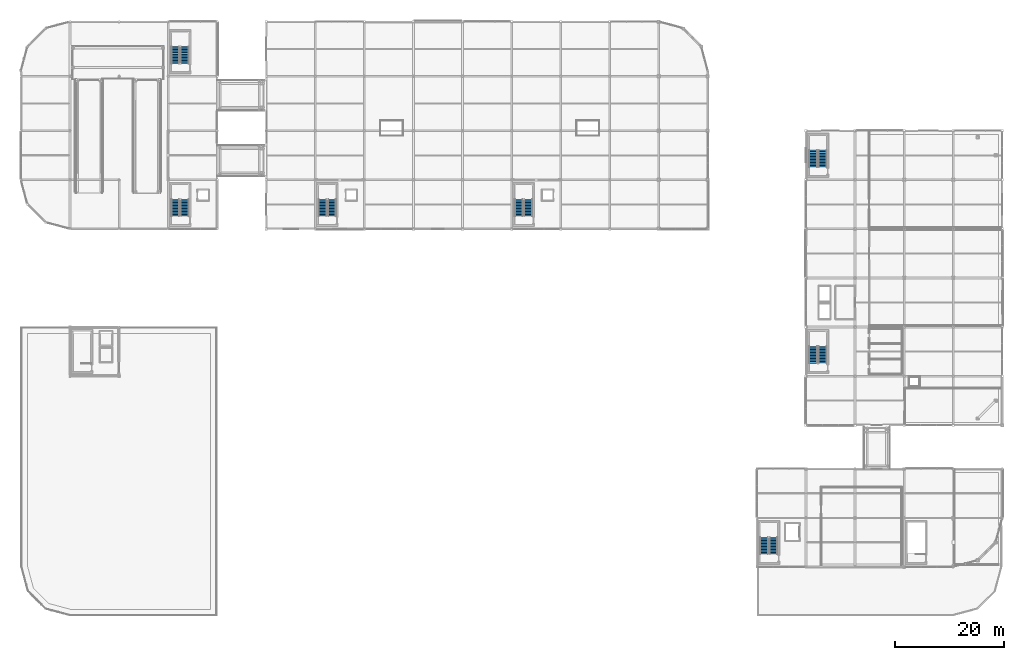
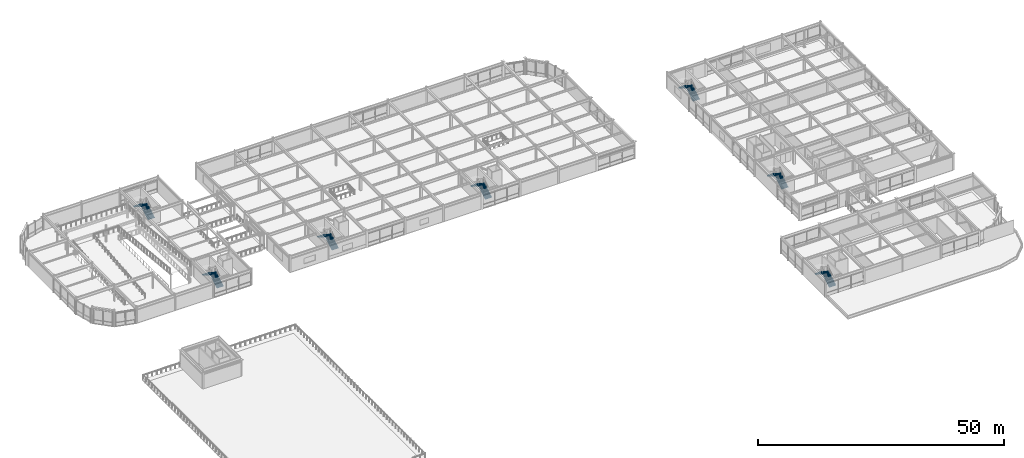
# One storey, part 52 of 70: 14 stair flights, 7 elements without a shape of their own.
"""IFC4 building model written with IfcOpenShell, lengths in metres."""

from ifc_helpers import new_model, si_unit, direction, frame, origin, place, context, subcontext, project, spatial, polyline, outline, extrude, material, type_object, element, aggregate, save


model = new_model("IFC4")

# Units and contexts
model_context = context("Model", 3, precision=1e-05, world=origin(), true_north=direction((0.0, 1.0)))
body_context = subcontext(model_context, "Body", "Model", "MODEL_VIEW")
ifc_project = project(units=[si_unit("LENGTHUNIT", "METRE"), si_unit("AREAUNIT", "SQUARE_METRE"), si_unit("VOLUMEUNIT", "CUBIC_METRE"), si_unit("PLANEANGLEUNIT", "RADIAN"), si_unit("MASSUNIT", "GRAM", prefix="KILO")], contexts=[model_context])

# Site, building, storey
site_placement = place(None, origin())
site = spatial("IfcSite", under=ifc_project, at=site_placement, CompositionType="ELEMENT")
building_placement = place(site_placement, origin())
building = spatial("IfcBuilding", under=site, at=building_placement, Name="Suzunagisa Mobility Hub", CompositionType="ELEMENT")
storey_placement = place(building_placement, frame((0.0, 0.0, 13.5)))
storey = spatial("IfcBuildingStorey", under=building, at=storey_placement, Name="L03", CompositionType="ELEMENT", Elevation=13.5)

# Stair, stair flights
ifc_material = material(Name="Concrete C35/45", Category="concrete")
stair_type_1 = type_object("IfcStairType", Name="Dog-Leg Core Escape Stair ST-05 W1560", PredefinedType="HALF_TURN_STAIR", material=ifc_material)
stair_1_placement = place(storey_placement, origin())
stair_1 = element("IfcStair", 1, at=stair_1_placement, inside=storey, type_object=stair_type_1, Name="L03 Core C6 Escape Stair ST-05", PredefinedType="HALF_TURN_STAIR")
stair_flight_type_1 = type_object("IfcStairFlightType", Name="Dog-Leg Core Stair Flight ST-05-F W1560", PredefinedType="STRAIGHT", material=ifc_material)
stair_flight_1_placement = place(storey_placement, frame((30.06005859375, 82.360107421875, 0.0), z_axis=(0.0, 0.0, 1.0), x_axis=(0.0, 1.0, 0.0)))
stair_flight_1 = element("IfcStairFlight", 2, at=stair_flight_1_placement, type_object=stair_flight_type_1, Name="ST-05 flight 1", NumberOfRisers=12, NumberOfTreads=11, PredefinedType="STRAIGHT", RiserHeight=0.175, TreadLength=0.28, context=body_context, shape_type="SweptSolid", body=[
    extrude(outline(polyline([(0.0, 0.0), (0.0, 0.175048828125), (0.280029296875, 0.175048828125), (0.280029296875, 0.35009765625), (0.56005859375, 0.35009765625), (0.56005859375, 0.52490234375), (0.840087890625, 0.52490234375), (0.840087890625, 0.699951171875), (1.1201171875, 0.699951171875), (1.1201171875, 0.875), (1.39990234375, 0.875), (1.39990234375, 1.050048828125), (1.679931640625, 1.050048828125), (1.679931640625, 1.22509765625), (1.9599609375, 1.22509765625), (1.9599609375, 1.39990234375), (2.239990234375, 1.39990234375), (2.239990234375, 1.574951171875), (2.52001953125, 1.574951171875), (2.52001953125, 1.75), (2.800048828125, 1.75), (2.800048828125, 1.925048828125), (3.080078125, 1.925048828125), (3.080078125, 2.10009765625), (3.080078125, 1.736328125), (0.3017578125, 0.0), (0.0, 0.0)])), frame((0.0, 0.780029296875, 0.0), z_axis=(0.0, -1.0, 0.0), x_axis=(1.0, 0.0, 0.0)), (0.0, 0.0, 1.0), 1.56005859375),
])
stair_flight_2_placement = place(storey_placement, frame((28.340087890625, 85.43994140625, 2.10009765625), z_axis=(0.0, 0.0, 1.0), x_axis=(0.0, -1.0, 0.0)))
stair_flight_2 = element("IfcStairFlight", 3, at=stair_flight_2_placement, type_object=stair_flight_type_1, Name="ST-05 flight 2", NumberOfRisers=12, NumberOfTreads=11, PredefinedType="STRAIGHT", RiserHeight=0.175, TreadLength=0.28, context=body_context, shape_type="SweptSolid", body=[
    extrude(outline(polyline([(0.0, 0.0), (0.0, 0.175048828125), (0.280029296875, 0.175048828125), (0.280029296875, 0.35009765625), (0.56005859375, 0.35009765625), (0.56005859375, 0.52490234375), (0.840087890625, 0.52490234375), (0.840087890625, 0.699951171875), (1.1201171875, 0.699951171875), (1.1201171875, 0.875), (1.39990234375, 0.875), (1.39990234375, 1.050048828125), (1.679931640625, 1.050048828125), (1.679931640625, 1.22509765625), (1.9599609375, 1.22509765625), (1.9599609375, 1.39990234375), (2.239990234375, 1.39990234375), (2.239990234375, 1.574951171875), (2.52001953125, 1.574951171875), (2.52001953125, 1.75), (2.800048828125, 1.75), (2.800048828125, 1.925048828125), (3.080078125, 1.925048828125), (3.080078125, 2.10009765625), (3.080078125, 1.736328125), (0.3017578125, 0.0), (0.0, 0.0)])), frame((0.0, 0.780029296875, 0.0), z_axis=(0.0, -1.0, 0.0), x_axis=(1.0, 0.0, 0.0)), (0.0, 0.0, 1.0), 1.56005859375),
])
aggregate(stair_1, [stair_flight_1, stair_flight_2])

stair_type_2 = type_object("IfcStairType", Name="Dog-Leg Core Escape Stair ST-06 W1560", PredefinedType="HALF_TURN_STAIR", material=ifc_material)
stair_2_placement = place(storey_placement, origin())
stair_2 = element("IfcStair", 4, at=stair_2_placement, inside=storey, type_object=stair_type_2, Name="L03 Core C6B Escape Stair ST-06", PredefinedType="HALF_TURN_STAIR")
stair_flight_type_2 = type_object("IfcStairFlightType", Name="Dog-Leg Core Stair Flight ST-06-F W1560", PredefinedType="STRAIGHT", material=ifc_material)
stair_flight_3_placement = place(storey_placement, frame((30.06005859375, 110.360107421875, 0.0), z_axis=(0.0, 0.0, 1.0), x_axis=(0.0, 1.0, 0.0)))
stair_flight_3 = element("IfcStairFlight", 5, at=stair_flight_3_placement, type_object=stair_flight_type_2, Name="ST-06 flight 1", NumberOfRisers=12, NumberOfTreads=11, PredefinedType="STRAIGHT", RiserHeight=0.175, TreadLength=0.28, context=body_context, shape_type="SweptSolid", body=[
    extrude(outline(polyline([(0.0, 0.0), (0.0, 0.175048828125), (0.280029296875, 0.175048828125), (0.280029296875, 0.35009765625), (0.56005859375, 0.35009765625), (0.56005859375, 0.52490234375), (0.840087890625, 0.52490234375), (0.840087890625, 0.699951171875), (1.1201171875, 0.699951171875), (1.1201171875, 0.875), (1.39990234375, 0.875), (1.39990234375, 1.050048828125), (1.679931640625, 1.050048828125), (1.679931640625, 1.22509765625), (1.9599609375, 1.22509765625), (1.9599609375, 1.39990234375), (2.239990234375, 1.39990234375), (2.239990234375, 1.574951171875), (2.52001953125, 1.574951171875), (2.52001953125, 1.75), (2.800048828125, 1.75), (2.800048828125, 1.925048828125), (3.080078125, 1.925048828125), (3.080078125, 2.10009765625), (3.080078125, 1.736328125), (0.3017578125, 0.0), (0.0, 0.0)])), frame((0.0, 0.780029296875, 0.0), z_axis=(0.0, -1.0, 0.0), x_axis=(1.0, 0.0, 0.0)), (0.0, 0.0, 1.0), 1.56005859375),
])
stair_flight_4_placement = place(storey_placement, frame((28.340087890625, 113.43994140625, 2.10009765625), z_axis=(0.0, 0.0, 1.0), x_axis=(0.0, -1.0, 0.0)))
stair_flight_4 = element("IfcStairFlight", 6, at=stair_flight_4_placement, type_object=stair_flight_type_2, Name="ST-06 flight 2", NumberOfRisers=12, NumberOfTreads=11, PredefinedType="STRAIGHT", RiserHeight=0.175, TreadLength=0.28, context=body_context, shape_type="SweptSolid", body=[
    extrude(outline(polyline([(0.0, 0.0), (0.0, 0.175048828125), (0.280029296875, 0.175048828125), (0.280029296875, 0.35009765625), (0.56005859375, 0.35009765625), (0.56005859375, 0.52490234375), (0.840087890625, 0.52490234375), (0.840087890625, 0.699951171875), (1.1201171875, 0.699951171875), (1.1201171875, 0.875), (1.39990234375, 0.875), (1.39990234375, 1.050048828125), (1.679931640625, 1.050048828125), (1.679931640625, 1.22509765625), (1.9599609375, 1.22509765625), (1.9599609375, 1.39990234375), (2.239990234375, 1.39990234375), (2.239990234375, 1.574951171875), (2.52001953125, 1.574951171875), (2.52001953125, 1.75), (2.800048828125, 1.75), (2.800048828125, 1.925048828125), (3.080078125, 1.925048828125), (3.080078125, 2.10009765625), (3.080078125, 1.736328125), (0.3017578125, 0.0), (0.0, 0.0)])), frame((0.0, 0.780029296875, 0.0), z_axis=(0.0, -1.0, 0.0), x_axis=(1.0, 0.0, 0.0)), (0.0, 0.0, 1.0), 1.56005859375),
])
aggregate(stair_2, [stair_flight_3, stair_flight_4])

stair_type_3 = type_object("IfcStairType", Name="Dog-Leg Core Escape Stair ST-07 W1560", PredefinedType="HALF_TURN_STAIR", material=ifc_material)
stair_3_placement = place(storey_placement, origin())
stair_3 = element("IfcStair", 7, at=stair_3_placement, inside=storey, type_object=stair_type_3, Name="L03 Core C3 Escape Stair ST-07", PredefinedType="HALF_TURN_STAIR")
stair_flight_type_3 = type_object("IfcStairFlightType", Name="Dog-Leg Core Stair Flight ST-07-F W1560", PredefinedType="STRAIGHT", material=ifc_material)
stair_flight_5_placement = place(storey_placement, frame((57.06005859375, 82.360107421875, 0.0), z_axis=(0.0, 0.0, 1.0), x_axis=(0.0, 1.0, 0.0)))
stair_flight_5 = element("IfcStairFlight", 8, at=stair_flight_5_placement, type_object=stair_flight_type_3, Name="ST-07 flight 1", NumberOfRisers=12, NumberOfTreads=11, PredefinedType="STRAIGHT", RiserHeight=0.175, TreadLength=0.28, context=body_context, shape_type="SweptSolid", body=[
    extrude(outline(polyline([(0.0, 0.0), (0.0, 0.175048828125), (0.280029296875, 0.175048828125), (0.280029296875, 0.35009765625), (0.56005859375, 0.35009765625), (0.56005859375, 0.52490234375), (0.840087890625, 0.52490234375), (0.840087890625, 0.699951171875), (1.1201171875, 0.699951171875), (1.1201171875, 0.875), (1.39990234375, 0.875), (1.39990234375, 1.050048828125), (1.679931640625, 1.050048828125), (1.679931640625, 1.22509765625), (1.9599609375, 1.22509765625), (1.9599609375, 1.39990234375), (2.239990234375, 1.39990234375), (2.239990234375, 1.574951171875), (2.52001953125, 1.574951171875), (2.52001953125, 1.75), (2.800048828125, 1.75), (2.800048828125, 1.925048828125), (3.080078125, 1.925048828125), (3.080078125, 2.10009765625), (3.080078125, 1.736328125), (0.3017578125, 0.0), (0.0, 0.0)])), frame((0.0, 0.780029296875, 0.0), z_axis=(0.0, -1.0, 0.0), x_axis=(1.0, 0.0, 0.0)), (0.0, 0.0, 1.0), 1.56005859375),
])
stair_flight_6_placement = place(storey_placement, frame((55.340087890625, 85.43994140625, 2.10009765625), z_axis=(0.0, 0.0, 1.0), x_axis=(0.0, -1.0, 0.0)))
stair_flight_6 = element("IfcStairFlight", 9, at=stair_flight_6_placement, type_object=stair_flight_type_3, Name="ST-07 flight 2", NumberOfRisers=12, NumberOfTreads=11, PredefinedType="STRAIGHT", RiserHeight=0.175, TreadLength=0.28, context=body_context, shape_type="SweptSolid", body=[
    extrude(outline(polyline([(0.0, 0.0), (0.0, 0.175048828125), (0.280029296875, 0.175048828125), (0.280029296875, 0.35009765625), (0.56005859375, 0.35009765625), (0.56005859375, 0.52490234375), (0.840087890625, 0.52490234375), (0.840087890625, 0.699951171875), (1.1201171875, 0.699951171875), (1.1201171875, 0.875), (1.39990234375, 0.875), (1.39990234375, 1.050048828125), (1.679931640625, 1.050048828125), (1.679931640625, 1.22509765625), (1.9599609375, 1.22509765625), (1.9599609375, 1.39990234375), (2.239990234375, 1.39990234375), (2.239990234375, 1.574951171875), (2.52001953125, 1.574951171875), (2.52001953125, 1.75), (2.800048828125, 1.75), (2.800048828125, 1.925048828125), (3.080078125, 1.925048828125), (3.080078125, 2.10009765625), (3.080078125, 1.736328125), (0.3017578125, 0.0), (0.0, 0.0)])), frame((0.0, 0.780029296875, 0.0), z_axis=(0.0, -1.0, 0.0), x_axis=(1.0, 0.0, 0.0)), (0.0, 0.0, 1.0), 1.56005859375),
])
aggregate(stair_3, [stair_flight_5, stair_flight_6])

stair_type_4 = type_object("IfcStairType", Name="Dog-Leg Core Escape Stair ST-08 W1560", PredefinedType="HALF_TURN_STAIR", material=ifc_material)
stair_4_placement = place(storey_placement, origin())
stair_4 = element("IfcStair", 10, at=stair_4_placement, inside=storey, type_object=stair_type_4, Name="L03 Core C4 Escape Stair ST-08", PredefinedType="HALF_TURN_STAIR")
stair_flight_type_4 = type_object("IfcStairFlightType", Name="Dog-Leg Core Stair Flight ST-08-F W1560", PredefinedType="STRAIGHT", material=ifc_material)
stair_flight_7_placement = place(storey_placement, frame((93.06005859375, 82.360107421875, 0.0), z_axis=(0.0, 0.0, 1.0), x_axis=(0.0, 1.0, 0.0)))
stair_flight_7 = element("IfcStairFlight", 11, at=stair_flight_7_placement, type_object=stair_flight_type_4, Name="ST-08 flight 1", NumberOfRisers=12, NumberOfTreads=11, PredefinedType="STRAIGHT", RiserHeight=0.175, TreadLength=0.28, context=body_context, shape_type="SweptSolid", body=[
    extrude(outline(polyline([(0.0, 0.0), (0.0, 0.175048828125), (0.280029296875, 0.175048828125), (0.280029296875, 0.35009765625), (0.56005859375, 0.35009765625), (0.56005859375, 0.52490234375), (0.840087890625, 0.52490234375), (0.840087890625, 0.699951171875), (1.1201171875, 0.699951171875), (1.1201171875, 0.875), (1.39990234375, 0.875), (1.39990234375, 1.050048828125), (1.679931640625, 1.050048828125), (1.679931640625, 1.22509765625), (1.9599609375, 1.22509765625), (1.9599609375, 1.39990234375), (2.239990234375, 1.39990234375), (2.239990234375, 1.574951171875), (2.52001953125, 1.574951171875), (2.52001953125, 1.75), (2.800048828125, 1.75), (2.800048828125, 1.925048828125), (3.080078125, 1.925048828125), (3.080078125, 2.10009765625), (3.080078125, 1.736328125), (0.3017578125, 0.0), (0.0, 0.0)])), frame((0.0, 0.780029296875, 0.0), z_axis=(0.0, -1.0, 0.0), x_axis=(1.0, 0.0, 0.0)), (0.0, 0.0, 1.0), 1.56005859375),
])
stair_flight_8_placement = place(storey_placement, frame((91.340087890625, 85.43994140625, 2.10009765625), z_axis=(0.0, 0.0, 1.0), x_axis=(0.0, -1.0, 0.0)))
stair_flight_8 = element("IfcStairFlight", 12, at=stair_flight_8_placement, type_object=stair_flight_type_4, Name="ST-08 flight 2", NumberOfRisers=12, NumberOfTreads=11, PredefinedType="STRAIGHT", RiserHeight=0.175, TreadLength=0.28, context=body_context, shape_type="SweptSolid", body=[
    extrude(outline(polyline([(0.0, 0.0), (0.0, 0.175048828125), (0.280029296875, 0.175048828125), (0.280029296875, 0.35009765625), (0.56005859375, 0.35009765625), (0.56005859375, 0.52490234375), (0.840087890625, 0.52490234375), (0.840087890625, 0.699951171875), (1.1201171875, 0.699951171875), (1.1201171875, 0.875), (1.39990234375, 0.875), (1.39990234375, 1.050048828125), (1.679931640625, 1.050048828125), (1.679931640625, 1.22509765625), (1.9599609375, 1.22509765625), (1.9599609375, 1.39990234375), (2.239990234375, 1.39990234375), (2.239990234375, 1.574951171875), (2.52001953125, 1.574951171875), (2.52001953125, 1.75), (2.800048828125, 1.75), (2.800048828125, 1.925048828125), (3.080078125, 1.925048828125), (3.080078125, 2.10009765625), (3.080078125, 1.736328125), (0.3017578125, 0.0), (0.0, 0.0)])), frame((0.0, 0.780029296875, 0.0), z_axis=(0.0, -1.0, 0.0), x_axis=(1.0, 0.0, 0.0)), (0.0, 0.0, 1.0), 1.56005859375),
])
aggregate(stair_4, [stair_flight_7, stair_flight_8])

stair_type_5 = type_object("IfcStairType", Name="Dog-Leg Core Escape Stair ST-09 W1560", PredefinedType="HALF_TURN_STAIR", material=ifc_material)
stair_5_placement = place(storey_placement, origin())
stair_5 = element("IfcStair", 13, at=stair_5_placement, inside=storey, type_object=stair_type_5, Name="L03 Core C7 Escape Stair ST-09", PredefinedType="HALF_TURN_STAIR")
stair_flight_type_5 = type_object("IfcStairFlightType", Name="Dog-Leg Core Stair Flight ST-09-F W1560", PredefinedType="STRAIGHT", material=ifc_material)
stair_flight_9_placement = place(storey_placement, frame((138.06005859375, 20.360107421875, 0.0), z_axis=(0.0, 0.0, 1.0), x_axis=(0.0, 1.0, 0.0)))
stair_flight_9 = element("IfcStairFlight", 14, at=stair_flight_9_placement, type_object=stair_flight_type_5, Name="ST-09 flight 1", NumberOfRisers=12, NumberOfTreads=11, PredefinedType="STRAIGHT", RiserHeight=0.175, TreadLength=0.28, context=body_context, shape_type="SweptSolid", body=[
    extrude(outline(polyline([(0.0, 0.0), (0.0, 0.175048828125), (0.280029296875, 0.175048828125), (0.280029296875, 0.35009765625), (0.56005859375, 0.35009765625), (0.56005859375, 0.52490234375), (0.840087890625, 0.52490234375), (0.840087890625, 0.699951171875), (1.1201171875, 0.699951171875), (1.1201171875, 0.875), (1.39990234375, 0.875), (1.39990234375, 1.050048828125), (1.679931640625, 1.050048828125), (1.679931640625, 1.22509765625), (1.9599609375, 1.22509765625), (1.9599609375, 1.39990234375), (2.239990234375, 1.39990234375), (2.239990234375, 1.574951171875), (2.52001953125, 1.574951171875), (2.52001953125, 1.75), (2.800048828125, 1.75), (2.800048828125, 1.925048828125), (3.080078125, 1.925048828125), (3.080078125, 2.10009765625), (3.080078125, 1.736328125), (0.3017578125, 0.0), (0.0, 0.0)])), frame((0.0, 0.780029296875, 0.0), z_axis=(0.0, -1.0, 0.0), x_axis=(1.0, 0.0, 0.0)), (0.0, 0.0, 1.0), 1.56005859375),
])
stair_flight_10_placement = place(storey_placement, frame((136.340087890625, 23.43994140625, 2.10009765625), z_axis=(0.0, 0.0, 1.0), x_axis=(0.0, -1.0, 0.0)))
stair_flight_10 = element("IfcStairFlight", 15, at=stair_flight_10_placement, type_object=stair_flight_type_5, Name="ST-09 flight 2", NumberOfRisers=12, NumberOfTreads=11, PredefinedType="STRAIGHT", RiserHeight=0.175, TreadLength=0.28, context=body_context, shape_type="SweptSolid", body=[
    extrude(outline(polyline([(0.0, 0.0), (0.0, 0.175048828125), (0.280029296875, 0.175048828125), (0.280029296875, 0.35009765625), (0.56005859375, 0.35009765625), (0.56005859375, 0.52490234375), (0.840087890625, 0.52490234375), (0.840087890625, 0.699951171875), (1.1201171875, 0.699951171875), (1.1201171875, 0.875), (1.39990234375, 0.875), (1.39990234375, 1.050048828125), (1.679931640625, 1.050048828125), (1.679931640625, 1.22509765625), (1.9599609375, 1.22509765625), (1.9599609375, 1.39990234375), (2.239990234375, 1.39990234375), (2.239990234375, 1.574951171875), (2.52001953125, 1.574951171875), (2.52001953125, 1.75), (2.800048828125, 1.75), (2.800048828125, 1.925048828125), (3.080078125, 1.925048828125), (3.080078125, 2.10009765625), (3.080078125, 1.736328125), (0.3017578125, 0.0), (0.0, 0.0)])), frame((0.0, 0.780029296875, 0.0), z_axis=(0.0, -1.0, 0.0), x_axis=(1.0, 0.0, 0.0)), (0.0, 0.0, 1.0), 1.56005859375),
])
aggregate(stair_5, [stair_flight_9, stair_flight_10])

stair_type_6 = type_object("IfcStairType", Name="Dog-Leg Core Escape Stair ST-11 W1560", PredefinedType="HALF_TURN_STAIR", material=ifc_material)
stair_6_placement = place(storey_placement, origin())
stair_6 = element("IfcStair", 16, at=stair_6_placement, inside=storey, type_object=stair_type_6, Name="L03 Core C5 Escape Stair ST-11", PredefinedType="HALF_TURN_STAIR")
stair_flight_type_6 = type_object("IfcStairFlightType", Name="Dog-Leg Core Stair Flight ST-11-F W1560", PredefinedType="STRAIGHT", material=ifc_material)
stair_flight_11_placement = place(storey_placement, frame((147.06005859375, 55.360107421875, 0.0), z_axis=(0.0, 0.0, 1.0), x_axis=(0.0, 1.0, 0.0)))
stair_flight_11 = element("IfcStairFlight", 17, at=stair_flight_11_placement, type_object=stair_flight_type_6, Name="ST-11 flight 1", NumberOfRisers=12, NumberOfTreads=11, PredefinedType="STRAIGHT", RiserHeight=0.175, TreadLength=0.28, context=body_context, shape_type="SweptSolid", body=[
    extrude(outline(polyline([(0.0, 0.0), (0.0, 0.175048828125), (0.280029296875, 0.175048828125), (0.280029296875, 0.35009765625), (0.56005859375, 0.35009765625), (0.56005859375, 0.52490234375), (0.840087890625, 0.52490234375), (0.840087890625, 0.699951171875), (1.1201171875, 0.699951171875), (1.1201171875, 0.875), (1.39990234375, 0.875), (1.39990234375, 1.050048828125), (1.679931640625, 1.050048828125), (1.679931640625, 1.22509765625), (1.9599609375, 1.22509765625), (1.9599609375, 1.39990234375), (2.239990234375, 1.39990234375), (2.239990234375, 1.574951171875), (2.52001953125, 1.574951171875), (2.52001953125, 1.75), (2.800048828125, 1.75), (2.800048828125, 1.925048828125), (3.080078125, 1.925048828125), (3.080078125, 2.10009765625), (3.080078125, 1.736328125), (0.3017578125, 0.0), (0.0, 0.0)])), frame((0.0, 0.780029296875, 0.0), z_axis=(0.0, -1.0, 0.0), x_axis=(1.0, 0.0, 0.0)), (0.0, 0.0, 1.0), 1.56005859375),
])
stair_flight_12_placement = place(storey_placement, frame((145.340087890625, 58.43994140625, 2.10009765625), z_axis=(0.0, 0.0, 1.0), x_axis=(0.0, -1.0, 0.0)))
stair_flight_12 = element("IfcStairFlight", 18, at=stair_flight_12_placement, type_object=stair_flight_type_6, Name="ST-11 flight 2", NumberOfRisers=12, NumberOfTreads=11, PredefinedType="STRAIGHT", RiserHeight=0.175, TreadLength=0.28, context=body_context, shape_type="SweptSolid", body=[
    extrude(outline(polyline([(0.0, 0.0), (0.0, 0.175048828125), (0.280029296875, 0.175048828125), (0.280029296875, 0.35009765625), (0.56005859375, 0.35009765625), (0.56005859375, 0.52490234375), (0.840087890625, 0.52490234375), (0.840087890625, 0.699951171875), (1.1201171875, 0.699951171875), (1.1201171875, 0.875), (1.39990234375, 0.875), (1.39990234375, 1.050048828125), (1.679931640625, 1.050048828125), (1.679931640625, 1.22509765625), (1.9599609375, 1.22509765625), (1.9599609375, 1.39990234375), (2.239990234375, 1.39990234375), (2.239990234375, 1.574951171875), (2.52001953125, 1.574951171875), (2.52001953125, 1.75), (2.800048828125, 1.75), (2.800048828125, 1.925048828125), (3.080078125, 1.925048828125), (3.080078125, 2.10009765625), (3.080078125, 1.736328125), (0.3017578125, 0.0), (0.0, 0.0)])), frame((0.0, 0.780029296875, 0.0), z_axis=(0.0, -1.0, 0.0), x_axis=(1.0, 0.0, 0.0)), (0.0, 0.0, 1.0), 1.56005859375),
])
aggregate(stair_6, [stair_flight_11, stair_flight_12])

stair_type_7 = type_object("IfcStairType", Name="Dog-Leg Core Escape Stair ST-12 W1560", PredefinedType="HALF_TURN_STAIR", material=ifc_material)
stair_7_placement = place(storey_placement, origin())
stair_7 = element("IfcStair", 19, at=stair_7_placement, inside=storey, type_object=stair_type_7, Name="L03 Core C5B Escape Stair ST-12", PredefinedType="HALF_TURN_STAIR")
stair_flight_type_7 = type_object("IfcStairFlightType", Name="Dog-Leg Core Stair Flight ST-12-F W1560", PredefinedType="STRAIGHT", material=ifc_material)
stair_flight_13_placement = place(storey_placement, frame((147.06005859375, 91.360107421875, 0.0), z_axis=(0.0, 0.0, 1.0), x_axis=(0.0, 1.0, 0.0)))
stair_flight_13 = element("IfcStairFlight", 20, at=stair_flight_13_placement, type_object=stair_flight_type_7, Name="ST-12 flight 1", NumberOfRisers=12, NumberOfTreads=11, PredefinedType="STRAIGHT", RiserHeight=0.175, TreadLength=0.28, context=body_context, shape_type="SweptSolid", body=[
    extrude(outline(polyline([(0.0, 0.0), (0.0, 0.175048828125), (0.280029296875, 0.175048828125), (0.280029296875, 0.35009765625), (0.56005859375, 0.35009765625), (0.56005859375, 0.52490234375), (0.840087890625, 0.52490234375), (0.840087890625, 0.699951171875), (1.1201171875, 0.699951171875), (1.1201171875, 0.875), (1.39990234375, 0.875), (1.39990234375, 1.050048828125), (1.679931640625, 1.050048828125), (1.679931640625, 1.22509765625), (1.9599609375, 1.22509765625), (1.9599609375, 1.39990234375), (2.239990234375, 1.39990234375), (2.239990234375, 1.574951171875), (2.52001953125, 1.574951171875), (2.52001953125, 1.75), (2.800048828125, 1.75), (2.800048828125, 1.925048828125), (3.080078125, 1.925048828125), (3.080078125, 2.10009765625), (3.080078125, 1.736328125), (0.3017578125, 0.0), (0.0, 0.0)])), frame((0.0, 0.780029296875, 0.0), z_axis=(0.0, -1.0, 0.0), x_axis=(1.0, 0.0, 0.0)), (0.0, 0.0, 1.0), 1.56005859375),
])
stair_flight_14_placement = place(storey_placement, frame((145.340087890625, 94.43994140625, 2.10009765625), z_axis=(0.0, 0.0, 1.0), x_axis=(0.0, -1.0, 0.0)))
stair_flight_14 = element("IfcStairFlight", 21, at=stair_flight_14_placement, type_object=stair_flight_type_7, Name="ST-12 flight 2", NumberOfRisers=12, NumberOfTreads=11, PredefinedType="STRAIGHT", RiserHeight=0.175, TreadLength=0.28, context=body_context, shape_type="SweptSolid", body=[
    extrude(outline(polyline([(0.0, 0.0), (0.0, 0.175048828125), (0.280029296875, 0.175048828125), (0.280029296875, 0.35009765625), (0.56005859375, 0.35009765625), (0.56005859375, 0.52490234375), (0.840087890625, 0.52490234375), (0.840087890625, 0.699951171875), (1.1201171875, 0.699951171875), (1.1201171875, 0.875), (1.39990234375, 0.875), (1.39990234375, 1.050048828125), (1.679931640625, 1.050048828125), (1.679931640625, 1.22509765625), (1.9599609375, 1.22509765625), (1.9599609375, 1.39990234375), (2.239990234375, 1.39990234375), (2.239990234375, 1.574951171875), (2.52001953125, 1.574951171875), (2.52001953125, 1.75), (2.800048828125, 1.75), (2.800048828125, 1.925048828125), (3.080078125, 1.925048828125), (3.080078125, 2.10009765625), (3.080078125, 1.736328125), (0.3017578125, 0.0), (0.0, 0.0)])), frame((0.0, 0.780029296875, 0.0), z_axis=(0.0, -1.0, 0.0), x_axis=(1.0, 0.0, 0.0)), (0.0, 0.0, 1.0), 1.56005859375),
])
aggregate(stair_7, [stair_flight_13, stair_flight_14])

save(model, "model.ifc")
